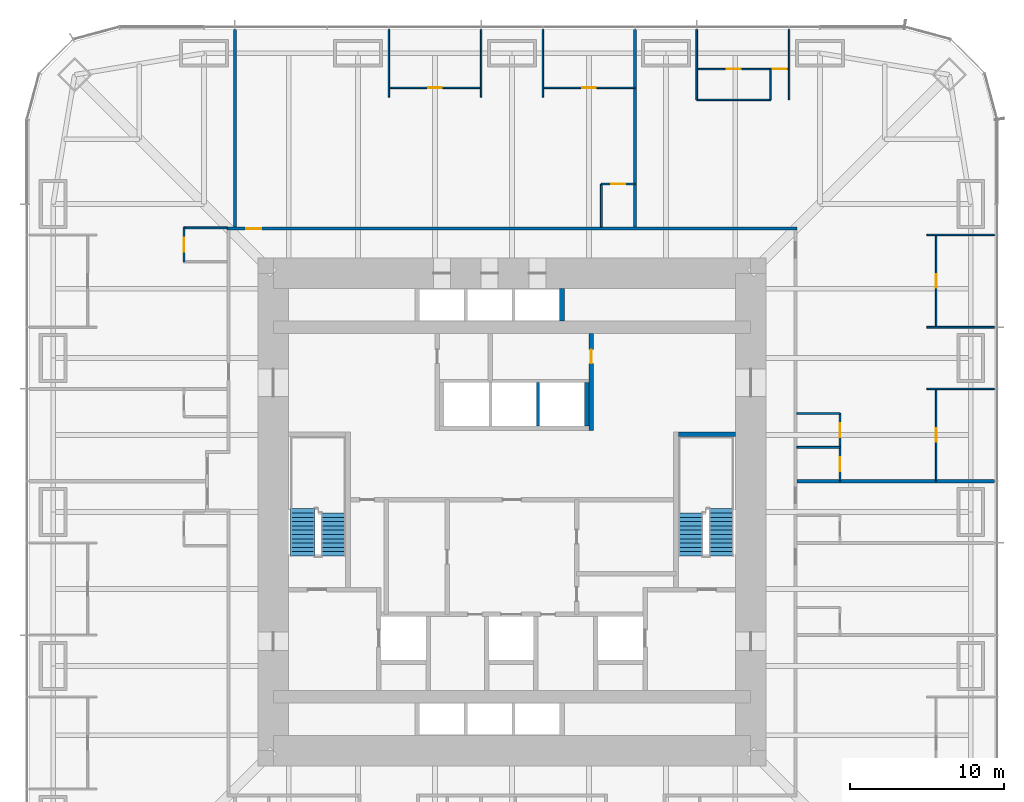
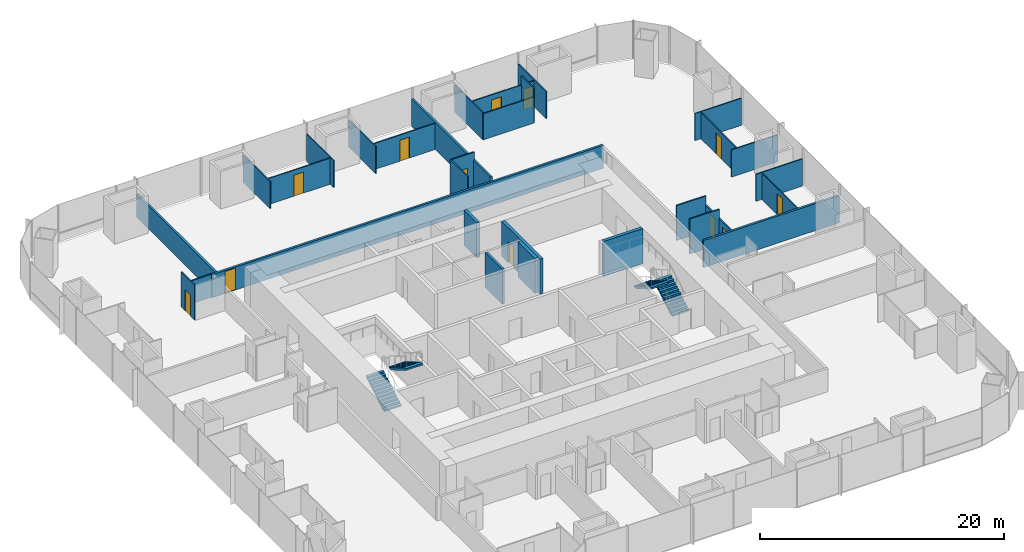
# One storey, part 15 of 16: 31 walls, 12 doors, 4 stair flights, 12 openings, 2 elements without a shape of their own.
"""IFC4 building model written with IfcOpenShell, lengths in metres."""

from ifc_helpers import new_model, si_unit, direction, frame, frame_2d, origin, place, context, subcontext, project, spatial, polyline, rectangle, outline, extrude, material, layer, layer_set, type_object, element, fill, aggregate, save


model = new_model("IFC4")

# Units and contexts
model_context = context("Model", 3, precision=1e-05, world=origin(), true_north=direction((0.0, 1.0)))
body_context = subcontext(model_context, "Body", "Model", "MODEL_VIEW")
ifc_project = project(units=[si_unit("LENGTHUNIT", "METRE"), si_unit("AREAUNIT", "SQUARE_METRE"), si_unit("VOLUMEUNIT", "CUBIC_METRE"), si_unit("PLANEANGLEUNIT", "RADIAN"), si_unit("MASSUNIT", "GRAM", prefix="KILO")], contexts=[model_context])

# Site, building, storey
site_placement = place(None, origin())
site = spatial("IfcSite", under=ifc_project, at=site_placement, CompositionType="ELEMENT")
building_placement = place(site_placement, origin())
building = spatial("IfcBuilding", under=site, at=building_placement, Name="Khuree Lantern Residences", CompositionType="ELEMENT")
storey_placement = place(building_placement, frame((0.0, 0.0, 54.75)))
storey = spatial("IfcBuildingStorey", under=building, at=storey_placement, Name="L13", CompositionType="ELEMENT", Elevation=54.75)

# Wall, openings, doors
ifc_material_1 = material(Name="Moisture-resistant gypsum board on steel studs", Category="steel")
ifc_layer_1 = layer(ifc_material_1, 0.125)
ifc_layer_set_1 = layer_set([ifc_layer_1], Name="BATHROOM WALL BTW125")
wall_type_1 = type_object("IfcWallType", Name="BATHROOM WALL BTW125", PredefinedType="PARTITIONING", material=ifc_layer_set_1)
wall_1_placement = place(storey_placement, frame((21.300048828125, 2.0, 0.0), z_axis=(0.0, 0.0, 1.0), x_axis=(0.0, 1.0, 0.0)))
wall_1 = element("IfcWall", 1, at=wall_1_placement, inside=storey, type_object=wall_type_1, Name="L13 BATHROOM WALL 03", PredefinedType="PARTITIONING", context=body_context, shape_type="SweptSolid", body=[
    extrude(rectangle(XDim=4.39990234375, YDim=0.125, at=frame_2d((2.199951171875, 0.0))), origin(), (0.0, 0.0, 1.0), 2.610107421875),
])
opening_1_placement = place(wall_1_placement, frame((0.64990234375, 0.0, 0.0)))
opening_1 = element("IfcOpeningElement", 2, at=opening_1_placement, cuts=wall_1, Name="Opening 13-030", PredefinedType="OPENING", context=body_context, shape_type="SweptSolid", body=[
    extrude(rectangle(XDim=0.89990234375, YDim=2.10009765625, at=frame_2d((0.449951171875, 1.050048828125))), frame((0.0, 0.072509765625, 0.0), z_axis=(0.0, -1.0, 0.0), x_axis=(1.0, 0.0, 0.0)), (0.0, 0.0, 1.0), 0.14501953125),
])
opening_2_placement = place(wall_1_placement, frame((2.85009765625, 0.0, 0.0)))
opening_2 = element("IfcOpeningElement", 3, at=opening_2_placement, cuts=wall_1, Name="Opening 13-031", PredefinedType="OPENING", context=body_context, shape_type="SweptSolid", body=[
    extrude(rectangle(XDim=0.89990234375, YDim=2.10009765625, at=frame_2d((0.449951171875, 1.050048828125))), frame((0.0, 0.072509765625, 0.0), z_axis=(0.0, -1.0, 0.0), x_axis=(1.0, 0.0, 0.0)), (0.0, 0.0, 1.0), 0.14501953125),
])
ifc_material_2 = material(Name="Timber door leaf in hardwood frame", Category="wood")
door_type_1 = type_object("IfcDoorType", Name="BATHROOM DOOR 900X2100", OperationType="SINGLE_SWING_LEFT", PredefinedType="DOOR", material=ifc_material_2)
door_1_placement = place(opening_1_placement, origin())
door_1 = element("IfcDoor", 4, at=door_1_placement, inside=storey, type_object=door_type_1, Name="Bathroom door 13-030", OperationType="SINGLE_SWING_LEFT", OverallHeight=2.10009765625, OverallWidth=0.89990234375, PredefinedType="DOOR", context=body_context, shape_type="SweptSolid", body=[
    extrude(rectangle(XDim=0.89990234375, YDim=2.10009765625, at=frame_2d((0.449951171875, 1.050048828125))), frame((0.0, 0.02490234375, 0.0), z_axis=(0.0, -1.0, 0.0), x_axis=(1.0, 0.0, 0.0)), (0.0, 0.0, 1.0), 0.050048828125),
])
fill(opening_1, door_1)
door_2_placement = place(opening_2_placement, origin())
door_2 = element("IfcDoor", 5, at=door_2_placement, inside=storey, type_object=door_type_1, Name="Bathroom door 13-031", OperationType="SINGLE_SWING_LEFT", OverallHeight=2.10009765625, OverallWidth=0.89990234375, PredefinedType="DOOR", context=body_context, shape_type="SweptSolid", body=[
    extrude(rectangle(XDim=0.89990234375, YDim=2.10009765625, at=frame_2d((0.449951171875, 1.050048828125))), frame((0.0, 0.02490234375, 0.0), z_axis=(0.0, -1.0, 0.0), x_axis=(1.0, 0.0, 0.0)), (0.0, 0.0, 1.0), 0.050048828125),
])
fill(opening_2, door_2)

# Walls
for number, where, z_axis, x_axis, name in (
    (6, (18.5, 4.199951171875, 0.0), (0.0, 0.0, 1.0), (1.0, 0.0, 0.0), "L13 BATHROOM WALL 03"),
    (7, (18.5, 6.39990234375, 0.0), (0.0, 0.0, 1.0), (1.0, 0.0, 0.0), "L13 BATHROOM WALL 03"),
):
    element("IfcWall", number, at=place(storey_placement, frame(where, z_axis=z_axis, x_axis=x_axis)), inside=storey, type_object=wall_type_1, Name=name, PredefinedType="PARTITIONING", context=body_context, shape_type="SweptSolid", body=[
        extrude(rectangle(XDim=2.800048828125, YDim=0.125, at=frame_2d((1.39990234375, 0.0))), origin(), (0.0, 0.0, 1.0), 3.5),
    ])

# Wall, opening, door
wall_2_placement = place(storey_placement, frame((8.0, 21.300048828125, 0.0), z_axis=(0.0, 0.0, 1.0), x_axis=(-1.0, 0.0, 0.0)))
wall_2 = element("IfcWall", 8, at=wall_2_placement, inside=storey, type_object=wall_type_1, Name="L13 BATHROOM WALL 04", PredefinedType="PARTITIONING", context=body_context, shape_type="SweptSolid", body=[
    extrude(rectangle(XDim=2.199951171875, YDim=0.125, at=frame_2d((1.10009765625, 0.0))), origin(), (0.0, 0.0, 1.0), 3.5),
])
opening_3_placement = place(wall_2_placement, frame((0.64990234375, 0.0, 0.0)))
opening_3 = element("IfcOpeningElement", 9, at=opening_3_placement, cuts=wall_2, Name="Opening 13-035", PredefinedType="OPENING", context=body_context, shape_type="SweptSolid", body=[
    extrude(rectangle(XDim=0.89990234375, YDim=2.10009765625, at=frame_2d((0.449951171875, 1.050048828125))), frame((0.0, 0.072509765625, 0.0), z_axis=(0.0, -1.0, 0.0), x_axis=(1.0, 0.0, 0.0)), (0.0, 0.0, 1.0), 0.14501953125),
])
door_3_placement = place(opening_3_placement, origin())
door_3 = element("IfcDoor", 10, at=door_3_placement, inside=storey, type_object=door_type_1, Name="Bathroom door 13-035", OperationType="SINGLE_SWING_LEFT", OverallHeight=2.10009765625, OverallWidth=0.89990234375, PredefinedType="DOOR", context=body_context, shape_type="SweptSolid", body=[
    extrude(rectangle(XDim=0.89990234375, YDim=2.10009765625, at=frame_2d((0.449951171875, 1.050048828125))), frame((0.0, 0.02490234375, 0.0), z_axis=(0.0, -1.0, 0.0), x_axis=(1.0, 0.0, 0.0)), (0.0, 0.0, 1.0), 0.050048828125),
])
fill(opening_3, door_3)

# Wall
wall_3_placement = place(storey_placement, frame((5.800048828125, 18.5, 0.0), z_axis=(0.0, 0.0, 1.0), x_axis=(0.0, 1.0, 0.0)))
element("IfcWall", 11, at=wall_3_placement, inside=storey, type_object=wall_type_1, Name="L13 BATHROOM WALL 04", PredefinedType="PARTITIONING", context=body_context, shape_type="SweptSolid", body=[
    extrude(rectangle(XDim=2.800048828125, YDim=0.125, at=frame_2d((1.39990234375, 0.0))), origin(), (0.0, 0.0, 1.0), 3.5),
])

# Wall, opening, door
wall_4_placement = place(storey_placement, frame((-21.300048828125, 18.449951171875, 0.0), z_axis=(0.0, 0.0, 1.0), x_axis=(0.0, -1.0, 0.0)))
wall_4 = element("IfcWall", 12, at=wall_4_placement, inside=storey, type_object=wall_type_1, Name="L13 BATHROOM WALL 05", PredefinedType="PARTITIONING", context=body_context, shape_type="SweptSolid", body=[
    extrude(rectangle(XDim=2.199951171875, YDim=0.125, at=frame_2d((1.10009765625, 0.0))), origin(), (0.0, 0.0, 1.0), 3.5),
])
opening_4_placement = place(wall_4_placement, frame((0.64990234375, 0.0, 0.0)))
opening_4 = element("IfcOpeningElement", 13, at=opening_4_placement, cuts=wall_4, Name="Opening 13-038", PredefinedType="OPENING", context=body_context, shape_type="SweptSolid", body=[
    extrude(rectangle(XDim=0.89990234375, YDim=2.10009765625, at=frame_2d((0.449951171875, 1.050048828125))), frame((0.0, 0.072509765625, 0.0), z_axis=(0.0, -1.0, 0.0), x_axis=(1.0, 0.0, 0.0)), (0.0, 0.0, 1.0), 0.14501953125),
])
door_4_placement = place(opening_4_placement, origin())
door_4 = element("IfcDoor", 14, at=door_4_placement, inside=storey, type_object=door_type_1, Name="Bathroom door 13-038", OperationType="SINGLE_SWING_LEFT", OverallHeight=2.10009765625, OverallWidth=0.89990234375, PredefinedType="DOOR", context=body_context, shape_type="SweptSolid", body=[
    extrude(rectangle(XDim=0.89990234375, YDim=2.10009765625, at=frame_2d((0.449951171875, 1.050048828125))), frame((0.0, 0.02490234375, 0.0), z_axis=(0.0, -1.0, 0.0), x_axis=(1.0, 0.0, 0.0)), (0.0, 0.0, 1.0), 0.050048828125),
])
fill(opening_4, door_4)

# Walls
wall_5_placement = place(storey_placement, frame((-18.5, 18.449951171875, 0.0), z_axis=(0.0, 0.0, 1.0), x_axis=(-1.0, 0.0, 0.0)))
element("IfcWall", 15, at=wall_5_placement, inside=storey, type_object=wall_type_1, Name="L13 BATHROOM WALL 05", PredefinedType="PARTITIONING", context=body_context, shape_type="SweptSolid", body=[
    extrude(rectangle(XDim=2.800048828125, YDim=0.125, at=frame_2d((1.39990234375, 0.0))), origin(), (0.0, 0.0, 1.0), 2.300048828125),
])
ifc_material_3 = material(Name="Dense concrete blockwork", Category="masonry")
ifc_layer_2 = layer(ifc_material_3, 0.300048828125)
ifc_layer_set_2 = layer_set([ifc_layer_2], Name="CORE PARTITION WALL CPW300 EI 120")
wall_type_2 = type_object("IfcWallType", Name="CORE PARTITION WALL CPW300 EI 120", PredefinedType="PARTITIONING", material=ifc_layer_set_2)
wall_6_placement = place(storey_placement, frame((4.85009765625, 5.60009765625, 0.0), z_axis=(0.0, 0.0, 1.0), x_axis=(0.0, 1.0, 0.0)))
element("IfcWall", 16, at=wall_6_placement, inside=storey, type_object=wall_type_2, Name="L13 CORE WALL PHE", PredefinedType="PARTITIONING", context=body_context, shape_type="SweptSolid", body=[
    extrude(rectangle(XDim=2.7998046875, YDim=0.300048828125, at=frame_2d((1.39990234375, 0.0))), origin(), (0.0, 0.0, 1.0), 3.5),
])
wall_7_placement = place(storey_placement, frame((3.25, 12.39990234375, 0.0), z_axis=(0.0, 0.0, 1.0), x_axis=(0.0, 1.0, 0.0)))
element("IfcWall", 17, at=wall_7_placement, inside=storey, type_object=wall_type_2, Name="L13 CORE WALL PLE", PredefinedType="PARTITIONING", context=body_context, shape_type="SweptSolid", body=[
    extrude(rectangle(XDim=2.10009765625, YDim=0.300048828125, at=frame_2d((1.050048828125, 0.0))), origin(), (0.0, 0.0, 1.0), 3.5),
])

# Wall, opening, door
wall_8_placement = place(storey_placement, frame((5.14990234375, 5.300048828125, 0.0), z_axis=(0.0, 0.0, 1.0), x_axis=(0.0, 1.0, 0.0)))
wall_8 = element("IfcWall", 18, at=wall_8_placement, inside=storey, type_object=wall_type_2, Name="L13 CORE WALL NE", PredefinedType="PARTITIONING", context=body_context, shape_type="SweptSolid", body=[
    extrude(rectangle(XDim=6.300048828125, YDim=0.300048828125, at=frame_2d((3.14990234375, 0.0))), origin(), (0.0, 0.0, 1.0), 3.5),
])
opening_5_placement = place(wall_8_placement, frame((4.35009765625, 0.0, 0.0)))
opening_5 = element("IfcOpeningElement", 19, at=opening_5_placement, cuts=wall_8, Name="Opening 13-021", PredefinedType="OPENING", context=body_context, shape_type="SweptSolid", body=[
    extrude(rectangle(XDim=0.89990234375, YDim=2.10009765625, at=frame_2d((0.449951171875, 1.050048828125))), frame((0.0, 0.16015625, 0.0), z_axis=(0.0, -1.0, 0.0), x_axis=(1.0, 0.0, 0.0)), (0.0, 0.0, 1.0), 0.320068359375),
])
door_type_2 = type_object("IfcDoorType", Name="DOOR 900X2100", OperationType="SINGLE_SWING_LEFT", PredefinedType="DOOR", material=ifc_material_2)
door_5_placement = place(opening_5_placement, origin())
door_5 = element("IfcDoor", 20, at=door_5_placement, inside=storey, type_object=door_type_2, Name="Parcel room door 13-021", OperationType="SINGLE_SWING_LEFT", OverallHeight=2.10009765625, OverallWidth=0.89990234375, PredefinedType="DOOR", context=body_context, shape_type="SweptSolid", body=[
    extrude(rectangle(XDim=0.89990234375, YDim=2.10009765625, at=frame_2d((0.449951171875, 1.050048828125))), frame((0.0, 0.02490234375, 0.0), z_axis=(0.0, -1.0, 0.0), x_axis=(1.0, 0.0, 0.0)), (0.0, 0.0, 1.0), 0.050048828125),
])
fill(opening_5, door_5)

ifc_material_4 = material(Name="Gypsum board on steel studs", Category="steel")
ifc_layer_3 = layer(ifc_material_4, 0.199951171875)
ifc_layer_set_3 = layer_set([ifc_layer_3], Name="CORRIDOR WALL CRW200 EI 60")
wall_type_3 = type_object("IfcWallType", Name="CORRIDOR WALL CRW200 EI 60", PredefinedType="PARTITIONING", material=ifc_layer_set_3)
wall_9_placement = place(storey_placement, frame((-18.5, 18.39990234375, 0.0), z_axis=(0.0, 0.0, 1.0), x_axis=(1.0, 0.0, 0.0)))
wall_9 = element("IfcWall", 21, at=wall_9_placement, inside=storey, type_object=wall_type_3, Name="L13 CORRIDOR WALL NORTH 1", PredefinedType="PARTITIONING", context=body_context, shape_type="SweptSolid", body=[
    extrude(rectangle(XDim=37.0, YDim=0.199951171875, at=frame_2d((18.5, 0.0))), origin(), (0.0, 0.0, 1.0), 2.300048828125),
])
opening_6_placement = place(wall_9_placement, frame((1.22998046875, 0.0, 0.0)))
opening_6 = element("IfcOpeningElement", 22, at=opening_6_placement, cuts=wall_9, Name="Opening 13-036", PredefinedType="OPENING", context=body_context, shape_type="SweptSolid", body=[
    extrude(rectangle(XDim=1.0, YDim=2.199951171875, at=frame_2d((0.5, 1.10009765625))), frame((0.0, 0.10986328125, 0.0), z_axis=(0.0, -1.0, 0.0), x_axis=(1.0, 0.0, 0.0)), (0.0, 0.0, 1.0), 0.219970703125),
])
door_type_3 = type_object("IfcDoorType", Name="APARTMENT ENTRANCE DOOR 1000X2200 EI 30S", OperationType="SINGLE_SWING_LEFT", PredefinedType="DOOR", material=ifc_material_2)
door_6_placement = place(opening_6_placement, origin())
door_6 = element("IfcDoor", 23, at=door_6_placement, inside=storey, type_object=door_type_3, Name="Apartment 04 entrance door 13-036", OperationType="SINGLE_SWING_LEFT", OverallHeight=2.199951171875, OverallWidth=1.0, PredefinedType="DOOR", context=body_context, shape_type="SweptSolid", body=[
    extrude(rectangle(XDim=1.0, YDim=2.199951171875, at=frame_2d((0.5, 1.10009765625))), frame((0.0, 0.02490234375, 0.0), z_axis=(0.0, -1.0, 0.0), x_axis=(1.0, 0.0, 0.0)), (0.0, 0.0, 1.0), 0.050048828125),
])
fill(opening_6, door_6)

# Walls
ifc_layer_4 = layer(ifc_material_4, 0.199951171875)
ifc_layer_set_4 = layer_set([ifc_layer_4], Name="DEMISING WALL DMW200 EI 90")
wall_type_4 = type_object("IfcWallType", Name="DEMISING WALL DMW200 EI 90", PredefinedType="PARTITIONING", material=ifc_layer_set_4)
for number, where, z_axis, x_axis, name in (
    (24, (18.5, 2.0, 0.0), (0.0, 0.0, 1.0), (1.0, 0.0, 0.0), "L13 DEMISING WALL 03"),
    (25, (8.0, 18.5, 0.0), (0.0, 0.0, 1.0), (0.0, 1.0, 0.0), "L13 DEMISING WALL 04"),
):
    element("IfcWall", number, at=place(storey_placement, frame(where, z_axis=z_axis, x_axis=x_axis)), inside=storey, type_object=wall_type_4, Name=name, PredefinedType="PARTITIONING", context=body_context, shape_type="SweptSolid", body=[
        extrude(rectangle(XDim=12.85009765625, YDim=0.199951171875, at=frame_2d((6.425048828125, 0.0))), origin(), (0.0, 0.0, 1.0), 2.7099609375),
    ])
wall_10_placement = place(storey_placement, frame((-18.0, 18.5, 0.0), z_axis=(0.0, 0.0, 1.0), x_axis=(0.0, 1.0, 0.0)))
element("IfcWall", 26, at=wall_10_placement, inside=storey, type_object=wall_type_4, Name="L13 DEMISING WALL 05", PredefinedType="PARTITIONING", context=body_context, shape_type="SweptSolid", body=[
    extrude(rectangle(XDim=12.85009765625, YDim=0.199951171875, at=frame_2d((6.425048828125, 0.0))), origin(), (0.0, 0.0, 1.0), 2.300048828125),
])
ifc_layer_5 = layer(ifc_material_4, 0.10009765625)
ifc_layer_set_5 = layer_set([ifc_layer_5], Name="PARTITION PT100")
wall_type_5 = type_object("IfcWallType", Name="PARTITION PT100", PredefinedType="PARTITIONING", material=ifc_layer_set_5)
for number, where, z_axis, x_axis, name in (
    (27, (26.949951171875, 8.0, 0.0), (0.0, 0.0, 1.0), (1.0, 0.0, 0.0), "L13 PARTITION 03"),
    (28, (26.949951171875, 12.0, 0.0), (0.0, 0.0, 1.0), (1.0, 0.0, 0.0), "L13 PARTITION 03"),
    (29, (26.949951171875, 18.0, 0.0), (0.0, 0.0, 1.0), (1.0, 0.0, 0.0), "L13 PARTITION 03"),
):
    element("IfcWall", number, at=place(storey_placement, frame(where, z_axis=z_axis, x_axis=x_axis)), inside=storey, type_object=wall_type_5, Name=name, PredefinedType="PARTITIONING", context=body_context, shape_type="SweptSolid", body=[
        extrude(rectangle(XDim=4.400146484375, YDim=0.10009765625, at=frame_2d((2.2001953125, 0.0))), origin(), (0.0, 0.0, 1.0), 2.7099609375),
    ])
for number, where, z_axis, x_axis, name in (
    (30, (18.0, 26.7666015625, 0.0), (0.0, 0.0, 1.0), (0.0, 1.0, 0.0), "L13 PARTITION 03"),
    (31, (12.0, 26.7666015625, 0.0), (0.0, 0.0, 1.0), (0.0, 1.0, 0.0), "L13 PARTITION 03"),
):
    element("IfcWall", number, at=place(storey_placement, frame(where, z_axis=z_axis, x_axis=x_axis)), inside=storey, type_object=wall_type_5, Name=name, PredefinedType="PARTITIONING", context=body_context, shape_type="SweptSolid", body=[
        extrude(rectangle(XDim=4.58349609375, YDim=0.10009765625, at=frame_2d((2.291748046875, 0.0))), origin(), (0.0, 0.0, 1.0), 2.7099609375),
    ])
for number, where, z_axis, x_axis, name in (
    (32, (2.0, 26.949951171875, 0.0), (0.0, 0.0, 1.0), (0.0, 1.0, 0.0), "L13 PARTITION 04"),
    (33, (-2.0, 26.949951171875, 0.0), (0.0, 0.0, 1.0), (0.0, 1.0, 0.0), "L13 PARTITION 04"),
    (34, (-8.0, 26.949951171875, 0.0), (0.0, 0.0, 1.0), (0.0, 1.0, 0.0), "L13 PARTITION 04"),
):
    element("IfcWall", number, at=place(storey_placement, frame(where, z_axis=z_axis, x_axis=x_axis)), inside=storey, type_object=wall_type_5, Name=name, PredefinedType="PARTITIONING", context=body_context, shape_type="SweptSolid", body=[
        extrude(rectangle(XDim=4.400146484375, YDim=0.10009765625, at=frame_2d((2.2001953125, 0.0))), origin(), (0.0, 0.0, 1.0), 2.7099609375),
    ])

# Wall, opening, door
wall_11_placement = place(storey_placement, frame((27.550048828125, 2.0, 0.0), z_axis=(0.0, 0.0, 1.0), x_axis=(0.0, 1.0, 0.0)))
wall_11 = element("IfcWall", 35, at=wall_11_placement, inside=storey, type_object=wall_type_5, Name="L13 PARTITION 03", PredefinedType="PARTITIONING", context=body_context, shape_type="SweptSolid", body=[
    extrude(rectangle(XDim=6.0, YDim=0.10009765625, at=frame_2d((3.0, 0.0))), origin(), (0.0, 0.0, 1.0), 2.610107421875),
])
opening_7_placement = place(wall_11_placement, frame((2.550048828125, 0.0, 0.0)))
opening_7 = element("IfcOpeningElement", 36, at=opening_7_placement, cuts=wall_11, Name="Opening 13-026", PredefinedType="OPENING", context=body_context, shape_type="SweptSolid", body=[
    extrude(rectangle(XDim=0.89990234375, YDim=2.10009765625, at=frame_2d((0.449951171875, 1.050048828125))), frame((0.0, 0.06005859375, 0.0), z_axis=(0.0, -1.0, 0.0), x_axis=(1.0, 0.0, 0.0)), (0.0, 0.0, 1.0), 0.1201171875),
])
door_type_4 = type_object("IfcDoorType", Name="BEDROOM DOOR 900X2100", OperationType="SINGLE_SWING_LEFT", PredefinedType="DOOR", material=ifc_material_2)
door_7_placement = place(opening_7_placement, origin())
door_7 = element("IfcDoor", 37, at=door_7_placement, inside=storey, type_object=door_type_4, Name="Bedroom door 13-026", OperationType="SINGLE_SWING_LEFT", OverallHeight=2.10009765625, OverallWidth=0.89990234375, PredefinedType="DOOR", context=body_context, shape_type="SweptSolid", body=[
    extrude(rectangle(XDim=0.89990234375, YDim=2.10009765625, at=frame_2d((0.449951171875, 1.050048828125))), frame((0.0, 0.02490234375, 0.0), z_axis=(0.0, -1.0, 0.0), x_axis=(1.0, 0.0, 0.0)), (0.0, 0.0, 1.0), 0.050048828125),
])
fill(opening_7, door_7)

wall_12_placement = place(storey_placement, frame((27.550048828125, 12.0, 0.0), z_axis=(0.0, 0.0, 1.0), x_axis=(0.0, 1.0, 0.0)))
wall_12 = element("IfcWall", 38, at=wall_12_placement, inside=storey, type_object=wall_type_5, Name="L13 PARTITION 03", PredefinedType="PARTITIONING", context=body_context, shape_type="SweptSolid", body=[
    extrude(rectangle(XDim=6.0, YDim=0.10009765625, at=frame_2d((3.0, 0.0))), origin(), (0.0, 0.0, 1.0), 2.610107421875),
])
opening_8_placement = place(wall_12_placement, frame((2.550048828125, 0.0, 0.0)))
opening_8 = element("IfcOpeningElement", 39, at=opening_8_placement, cuts=wall_12, Name="Opening 13-027", PredefinedType="OPENING", context=body_context, shape_type="SweptSolid", body=[
    extrude(rectangle(XDim=0.89990234375, YDim=2.10009765625, at=frame_2d((0.449951171875, 1.050048828125))), frame((0.0, 0.06005859375, 0.0), z_axis=(0.0, -1.0, 0.0), x_axis=(1.0, 0.0, 0.0)), (0.0, 0.0, 1.0), 0.1201171875),
])
door_8_placement = place(opening_8_placement, origin())
door_8 = element("IfcDoor", 40, at=door_8_placement, inside=storey, type_object=door_type_4, Name="Bedroom door 13-027", OperationType="SINGLE_SWING_LEFT", OverallHeight=2.10009765625, OverallWidth=0.89990234375, PredefinedType="DOOR", context=body_context, shape_type="SweptSolid", body=[
    extrude(rectangle(XDim=0.89990234375, YDim=2.10009765625, at=frame_2d((0.449951171875, 1.050048828125))), frame((0.0, 0.02490234375, 0.0), z_axis=(0.0, -1.0, 0.0), x_axis=(1.0, 0.0, 0.0)), (0.0, 0.0, 1.0), 0.050048828125),
])
fill(opening_8, door_8)

# Wall, openings, doors
wall_13_placement = place(storey_placement, frame((18.0, 28.7666015625, 0.0), z_axis=(0.0, 0.0, 1.0), x_axis=(-1.0, 0.0, 0.0)))
wall_13 = element("IfcWall", 41, at=wall_13_placement, inside=storey, type_object=wall_type_5, Name="L13 PARTITION 03", PredefinedType="PARTITIONING", context=body_context, shape_type="SweptSolid", body=[
    extrude(rectangle(XDim=6.0, YDim=0.10009765625, at=frame_2d((3.0, 0.0))), origin(), (0.0, 0.0, 1.0), 2.610107421875),
])
opening_9_placement = place(wall_13_placement, frame((0.14990234375, 0.0, 0.0)))
opening_9 = element("IfcOpeningElement", 42, at=opening_9_placement, cuts=wall_13, Name="Opening 13-028", PredefinedType="OPENING", context=body_context, shape_type="SweptSolid", body=[
    extrude(rectangle(XDim=0.89990234375, YDim=2.10009765625, at=frame_2d((0.449951171875, 1.050048828125))), frame((0.0, 0.06005859375, 0.0), z_axis=(0.0, -1.0, 0.0), x_axis=(1.0, 0.0, 0.0)), (0.0, 0.0, 1.0), 0.1201171875),
])
opening_10_placement = place(wall_13_placement, frame((3.14990234375, 0.0, 0.0)))
opening_10 = element("IfcOpeningElement", 43, at=opening_10_placement, cuts=wall_13, Name="Opening 13-029", PredefinedType="OPENING", context=body_context, shape_type="SweptSolid", body=[
    extrude(rectangle(XDim=0.89990234375, YDim=2.10009765625, at=frame_2d((0.449951171875, 1.050048828125))), frame((0.0, 0.06005859375, 0.0), z_axis=(0.0, -1.0, 0.0), x_axis=(1.0, 0.0, 0.0)), (0.0, 0.0, 1.0), 0.1201171875),
])
door_9_placement = place(opening_9_placement, origin())
door_9 = element("IfcDoor", 44, at=door_9_placement, inside=storey, type_object=door_type_4, Name="Bedroom door 13-028", OperationType="SINGLE_SWING_LEFT", OverallHeight=2.10009765625, OverallWidth=0.89990234375, PredefinedType="DOOR", context=body_context, shape_type="SweptSolid", body=[
    extrude(rectangle(XDim=0.89990234375, YDim=2.10009765625, at=frame_2d((0.449951171875, 1.050048828125))), frame((0.0, 0.02490234375, 0.0), z_axis=(0.0, -1.0, 0.0), x_axis=(1.0, 0.0, 0.0)), (0.0, 0.0, 1.0), 0.050048828125),
])
fill(opening_9, door_9)
door_10_placement = place(opening_10_placement, origin())
door_10 = element("IfcDoor", 45, at=door_10_placement, inside=storey, type_object=door_type_2, Name="Wardrobe door 13-029", OperationType="SINGLE_SWING_LEFT", OverallHeight=2.10009765625, OverallWidth=0.89990234375, PredefinedType="DOOR", context=body_context, shape_type="SweptSolid", body=[
    extrude(rectangle(XDim=0.89990234375, YDim=2.10009765625, at=frame_2d((0.449951171875, 1.050048828125))), frame((0.0, 0.02490234375, 0.0), z_axis=(0.0, -1.0, 0.0), x_axis=(1.0, 0.0, 0.0)), (0.0, 0.0, 1.0), 0.050048828125),
])
fill(opening_10, door_10)

# Walls
wall_14_placement = place(storey_placement, frame((16.800048828125, 26.7666015625, 0.0), z_axis=(0.0, 0.0, 1.0), x_axis=(0.0, 1.0, 0.0)))
element("IfcWall", 46, at=wall_14_placement, inside=storey, type_object=wall_type_5, Name="L13 PARTITION 03", PredefinedType="PARTITIONING", context=body_context, shape_type="SweptSolid", body=[
    extrude(rectangle(XDim=2.0, YDim=0.10009765625, at=frame_2d((1.0, 0.0))), origin(), (0.0, 0.0, 1.0), 3.5),
])
wall_15_placement = place(storey_placement, frame((16.800048828125, 26.7666015625, 0.0), z_axis=(0.0, 0.0, 1.0), x_axis=(-1.0, 0.0, 0.0)))
element("IfcWall", 47, at=wall_15_placement, inside=storey, type_object=wall_type_5, Name="L13 PARTITION 03", PredefinedType="PARTITIONING", context=body_context, shape_type="SweptSolid", body=[
    extrude(rectangle(XDim=4.800048828125, YDim=0.10009765625, at=frame_2d((2.39990234375, 0.0))), origin(), (0.0, 0.0, 1.0), 2.610107421875),
])

# Wall, opening, door
wall_16_placement = place(storey_placement, frame((8.0, 27.550048828125, 0.0), z_axis=(0.0, 0.0, 1.0), x_axis=(-1.0, 0.0, 0.0)))
wall_16 = element("IfcWall", 48, at=wall_16_placement, inside=storey, type_object=wall_type_5, Name="L13 PARTITION 04", PredefinedType="PARTITIONING", context=body_context, shape_type="SweptSolid", body=[
    extrude(rectangle(XDim=6.0, YDim=0.10009765625, at=frame_2d((3.0, 0.0))), origin(), (0.0, 0.0, 1.0), 2.610107421875),
])
opening_11_placement = place(wall_16_placement, frame((2.550048828125, 0.0, 0.0)))
opening_11 = element("IfcOpeningElement", 49, at=opening_11_placement, cuts=wall_16, Name="Opening 13-033", PredefinedType="OPENING", context=body_context, shape_type="SweptSolid", body=[
    extrude(rectangle(XDim=0.89990234375, YDim=2.10009765625, at=frame_2d((0.449951171875, 1.050048828125))), frame((0.0, 0.06005859375, 0.0), z_axis=(0.0, -1.0, 0.0), x_axis=(1.0, 0.0, 0.0)), (0.0, 0.0, 1.0), 0.1201171875),
])
door_11_placement = place(opening_11_placement, origin())
door_11 = element("IfcDoor", 50, at=door_11_placement, inside=storey, type_object=door_type_4, Name="Bedroom door 13-033", OperationType="SINGLE_SWING_LEFT", OverallHeight=2.10009765625, OverallWidth=0.89990234375, PredefinedType="DOOR", context=body_context, shape_type="SweptSolid", body=[
    extrude(rectangle(XDim=0.89990234375, YDim=2.10009765625, at=frame_2d((0.449951171875, 1.050048828125))), frame((0.0, 0.02490234375, 0.0), z_axis=(0.0, -1.0, 0.0), x_axis=(1.0, 0.0, 0.0)), (0.0, 0.0, 1.0), 0.050048828125),
])
fill(opening_11, door_11)

wall_17_placement = place(storey_placement, frame((-2.0, 27.550048828125, 0.0), z_axis=(0.0, 0.0, 1.0), x_axis=(-1.0, 0.0, 0.0)))
wall_17 = element("IfcWall", 51, at=wall_17_placement, inside=storey, type_object=wall_type_5, Name="L13 PARTITION 04", PredefinedType="PARTITIONING", context=body_context, shape_type="SweptSolid", body=[
    extrude(rectangle(XDim=6.0, YDim=0.10009765625, at=frame_2d((3.0, 0.0))), origin(), (0.0, 0.0, 1.0), 2.610107421875),
])
opening_12_placement = place(wall_17_placement, frame((2.550048828125, 0.0, 0.0)))
opening_12 = element("IfcOpeningElement", 52, at=opening_12_placement, cuts=wall_17, Name="Opening 13-034", PredefinedType="OPENING", context=body_context, shape_type="SweptSolid", body=[
    extrude(rectangle(XDim=0.89990234375, YDim=2.10009765625, at=frame_2d((0.449951171875, 1.050048828125))), frame((0.0, 0.06005859375, 0.0), z_axis=(0.0, -1.0, 0.0), x_axis=(1.0, 0.0, 0.0)), (0.0, 0.0, 1.0), 0.1201171875),
])
door_12_placement = place(opening_12_placement, origin())
door_12 = element("IfcDoor", 53, at=door_12_placement, inside=storey, type_object=door_type_4, Name="Bedroom door 13-034", OperationType="SINGLE_SWING_LEFT", OverallHeight=2.10009765625, OverallWidth=0.89990234375, PredefinedType="DOOR", context=body_context, shape_type="SweptSolid", body=[
    extrude(rectangle(XDim=0.89990234375, YDim=2.10009765625, at=frame_2d((0.449951171875, 1.050048828125))), frame((0.0, 0.02490234375, 0.0), z_axis=(0.0, -1.0, 0.0), x_axis=(1.0, 0.0, 0.0)), (0.0, 0.0, 1.0), 0.050048828125),
])
fill(opening_12, door_12)

# Walls
ifc_layer_6 = layer(ifc_material_3, 0.199951171875)
ifc_layer_set_6 = layer_set([ifc_layer_6], Name="SHAFT WALL SHW200 EI 120")
wall_type_6 = type_object("IfcWallType", Name="SHAFT WALL SHW200 EI 120", PredefinedType="PARTITIONING", material=ifc_layer_set_6)
wall_18_placement = place(storey_placement, frame((1.699951171875, 5.60009765625, 0.0), z_axis=(0.0, 0.0, 1.0), x_axis=(0.0, 1.0, 0.0)))
element("IfcWall", 54, at=wall_18_placement, inside=storey, type_object=wall_type_6, Name="L13 CORE WALL PHD2", PredefinedType="PARTITIONING", context=body_context, shape_type="SweptSolid", body=[
    extrude(rectangle(XDim=2.7998046875, YDim=0.199951171875, at=frame_2d((1.39990234375, 0.0))), origin(), (0.0, 0.0, 1.0), 3.5),
])
ifc_material_5 = material(Name="Concrete C50/60", Category="concrete")
ifc_layer_7 = layer(ifc_material_5, 0.300048828125)
ifc_layer_set_7 = layer_set([ifc_layer_7], Name="STAIR WALL SRW300 C50/60 REI 240")
wall_type_7 = type_object("IfcWallType", Name="STAIR WALL SRW300 C50/60 REI 240", PredefinedType="SOLIDWALL", material=ifc_layer_set_7)
wall_19_placement = place(storey_placement, frame((14.5, 5.050048828125, 0.0), z_axis=(0.0, 0.0, 1.0), x_axis=(-1.0, 0.0, 0.0)))
element("IfcWall", 55, at=wall_19_placement, inside=storey, type_object=wall_type_7, Name="L13 STAIR WALL ST2N", PredefinedType="SOLIDWALL", context=body_context, shape_type="SweptSolid", body=[
    extrude(rectangle(XDim=3.699951171875, YDim=0.300048828125, at=frame_2d((1.85009765625, 0.0))), origin(), (0.0, 0.0, 1.0), 3.5),
])

# Stair, stair flights
ifc_material_6 = material(Name="Concrete C40/50", Category="concrete")
stair_type = type_object("IfcStairType", Name="STAIR ST1 HALF TURN 3600", PredefinedType="HALF_TURN_STAIR", material=ifc_material_6)
stair_1_placement = place(storey_placement, origin())
stair_1 = element("IfcStair", 56, at=stair_1_placement, inside=storey, type_object=stair_type, Name="Stair ST1", PredefinedType="HALF_TURN_STAIR")
stair_flight_type = type_object("IfcStairFlightType", Name="STAIR FLIGHT SF1 1600", PredefinedType="STRAIGHT", material=ifc_material_6)
stair_flight_1_placement = place(storey_placement, frame((-13.60009765625, -2.860107421875, 0.0), z_axis=(0.0, 0.0, 1.0), x_axis=(0.0, 1.0, 0.0)))
stair_flight_1 = element("IfcStairFlight", 57, at=stair_flight_1_placement, type_object=stair_flight_type, Name="ST1 flight 1", NumberOfRisers=12, NumberOfTreads=11, PredefinedType="STRAIGHT", RiserHeight=0.163043478, TreadLength=0.28, context=body_context, shape_type="SweptSolid", body=[
    extrude(outline(polyline([(0.0, 0.0), (0.0, 0.1630859375), (0.280029296875, 0.1630859375), (0.280029296875, 0.326171875), (0.56005859375, 0.326171875), (0.56005859375, 0.489013671875), (0.840087890625, 0.489013671875), (0.840087890625, 0.652099609375), (1.1201171875, 0.652099609375), (1.1201171875, 0.815185546875), (1.39990234375, 0.815185546875), (1.39990234375, 0.978271484375), (1.679931640625, 0.978271484375), (1.679931640625, 1.141357421875), (1.9599609375, 1.141357421875), (1.9599609375, 1.304443359375), (2.239990234375, 1.304443359375), (2.239990234375, 1.46728515625), (2.52001953125, 1.46728515625), (2.52001953125, 1.63037109375), (2.800048828125, 1.63037109375), (2.800048828125, 1.79345703125), (3.080078125, 1.79345703125), (3.080078125, 1.95654296875), (3.080078125, 1.6201171875), (0.2978515625, 0.0), (0.0, 0.0)])), frame((0.0, 0.800048828125, 0.0), z_axis=(0.0, -1.0, 0.0), x_axis=(1.0, 0.0, 0.0)), (0.0, 0.0, 1.0), 1.60009765625),
])
stair_flight_2_placement = place(storey_placement, frame((-11.60009765625, -0.06005859375, 1.95654296875), z_axis=(0.0, 0.0, 1.0), x_axis=(0.0, -1.0, 0.0)))
stair_flight_2 = element("IfcStairFlight", 58, at=stair_flight_2_placement, type_object=stair_flight_type, Name="ST1 flight 2", NumberOfRisers=11, NumberOfTreads=10, PredefinedType="STRAIGHT", RiserHeight=0.163043478, TreadLength=0.28, context=body_context, shape_type="SweptSolid", body=[
    extrude(outline(polyline([(0.0, 0.0), (0.0, 0.1630859375), (0.280029296875, 0.1630859375), (0.280029296875, 0.326171875), (0.56005859375, 0.326171875), (0.56005859375, 0.489013671875), (0.840087890625, 0.489013671875), (0.840087890625, 0.652099609375), (1.1201171875, 0.652099609375), (1.1201171875, 0.815185546875), (1.39990234375, 0.815185546875), (1.39990234375, 0.978271484375), (1.679931640625, 0.978271484375), (1.679931640625, 1.141357421875), (1.9599609375, 1.141357421875), (1.9599609375, 1.304443359375), (2.239990234375, 1.304443359375), (2.239990234375, 1.46728515625), (2.52001953125, 1.46728515625), (2.52001953125, 1.63037109375), (2.800048828125, 1.63037109375), (2.800048828125, 1.79345703125), (2.800048828125, 1.45703125), (0.2978515625, 0.0), (0.0, 0.0)])), frame((0.0, 0.800048828125, 0.0), z_axis=(0.0, -1.0, 0.0), x_axis=(1.0, 0.0, 0.0)), (0.0, 0.0, 1.0), 1.60009765625),
])
aggregate(stair_1, [stair_flight_1, stair_flight_2])

stair_2_placement = place(storey_placement, origin())
stair_2 = element("IfcStair", 59, at=stair_2_placement, inside=storey, type_object=stair_type, Name="Stair ST2", PredefinedType="HALF_TURN_STAIR")
stair_flight_3_placement = place(storey_placement, frame((13.60009765625, -2.860107421875, 0.0), z_axis=(0.0, 0.0, 1.0), x_axis=(0.0, 1.0, 0.0)))
stair_flight_3 = element("IfcStairFlight", 60, at=stair_flight_3_placement, type_object=stair_flight_type, Name="ST2 flight 1", NumberOfRisers=12, NumberOfTreads=11, PredefinedType="STRAIGHT", RiserHeight=0.163043478, TreadLength=0.28, context=body_context, shape_type="SweptSolid", body=[
    extrude(outline(polyline([(0.0, 0.0), (0.0, 0.1630859375), (0.280029296875, 0.1630859375), (0.280029296875, 0.326171875), (0.56005859375, 0.326171875), (0.56005859375, 0.489013671875), (0.840087890625, 0.489013671875), (0.840087890625, 0.652099609375), (1.1201171875, 0.652099609375), (1.1201171875, 0.815185546875), (1.39990234375, 0.815185546875), (1.39990234375, 0.978271484375), (1.679931640625, 0.978271484375), (1.679931640625, 1.141357421875), (1.9599609375, 1.141357421875), (1.9599609375, 1.304443359375), (2.239990234375, 1.304443359375), (2.239990234375, 1.46728515625), (2.52001953125, 1.46728515625), (2.52001953125, 1.63037109375), (2.800048828125, 1.63037109375), (2.800048828125, 1.79345703125), (3.080078125, 1.79345703125), (3.080078125, 1.95654296875), (3.080078125, 1.6201171875), (0.2978515625, 0.0), (0.0, 0.0)])), frame((0.0, 0.800048828125, 0.0), z_axis=(0.0, -1.0, 0.0), x_axis=(1.0, 0.0, 0.0)), (0.0, 0.0, 1.0), 1.60009765625),
])
stair_flight_4_placement = place(storey_placement, frame((11.60009765625, -0.06005859375, 1.95654296875), z_axis=(0.0, 0.0, 1.0), x_axis=(0.0, -1.0, 0.0)))
stair_flight_4 = element("IfcStairFlight", 61, at=stair_flight_4_placement, type_object=stair_flight_type, Name="ST2 flight 2", NumberOfRisers=11, NumberOfTreads=10, PredefinedType="STRAIGHT", RiserHeight=0.163043478, TreadLength=0.28, context=body_context, shape_type="SweptSolid", body=[
    extrude(outline(polyline([(0.0, 0.0), (0.0, 0.1630859375), (0.280029296875, 0.1630859375), (0.280029296875, 0.326171875), (0.56005859375, 0.326171875), (0.56005859375, 0.489013671875), (0.840087890625, 0.489013671875), (0.840087890625, 0.652099609375), (1.1201171875, 0.652099609375), (1.1201171875, 0.815185546875), (1.39990234375, 0.815185546875), (1.39990234375, 0.978271484375), (1.679931640625, 0.978271484375), (1.679931640625, 1.141357421875), (1.9599609375, 1.141357421875), (1.9599609375, 1.304443359375), (2.239990234375, 1.304443359375), (2.239990234375, 1.46728515625), (2.52001953125, 1.46728515625), (2.52001953125, 1.63037109375), (2.800048828125, 1.63037109375), (2.800048828125, 1.79345703125), (2.800048828125, 1.45703125), (0.2978515625, 0.0), (0.0, 0.0)])), frame((0.0, 0.800048828125, 0.0), z_axis=(0.0, -1.0, 0.0), x_axis=(1.0, 0.0, 0.0)), (0.0, 0.0, 1.0), 1.60009765625),
])
aggregate(stair_2, [stair_flight_3, stair_flight_4])

save(model, "model.ifc")
